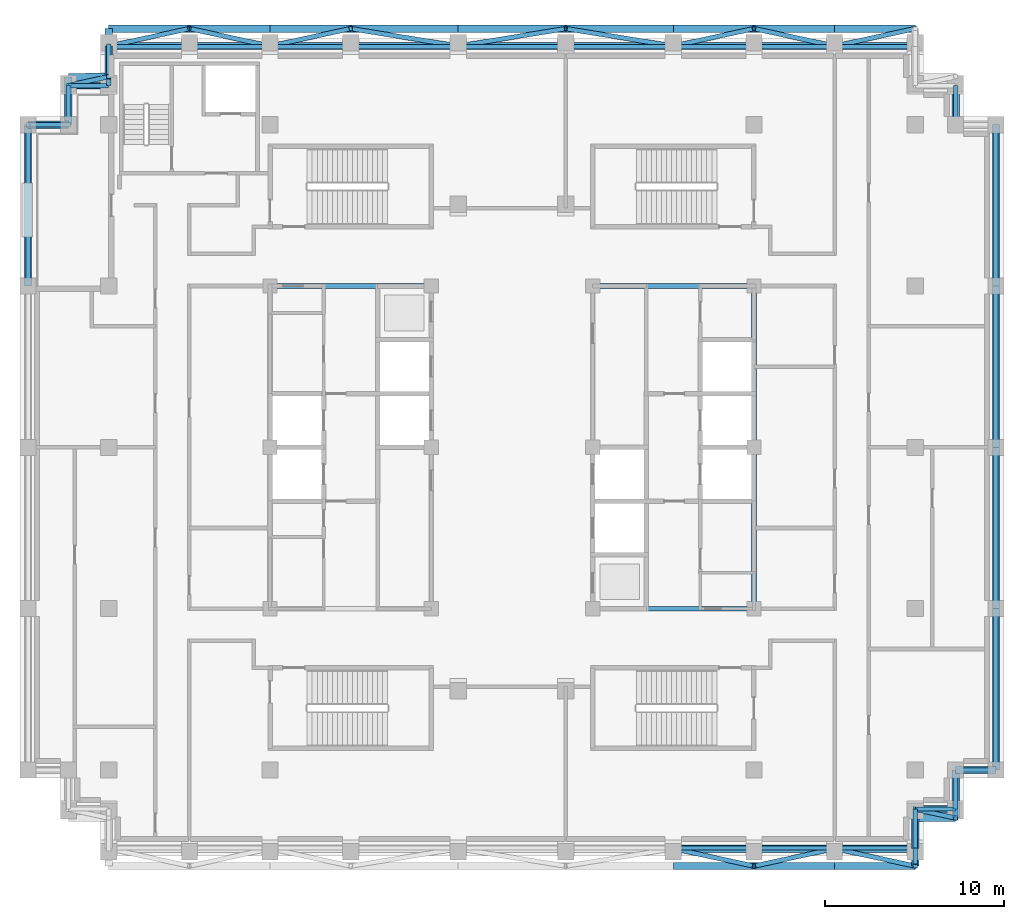
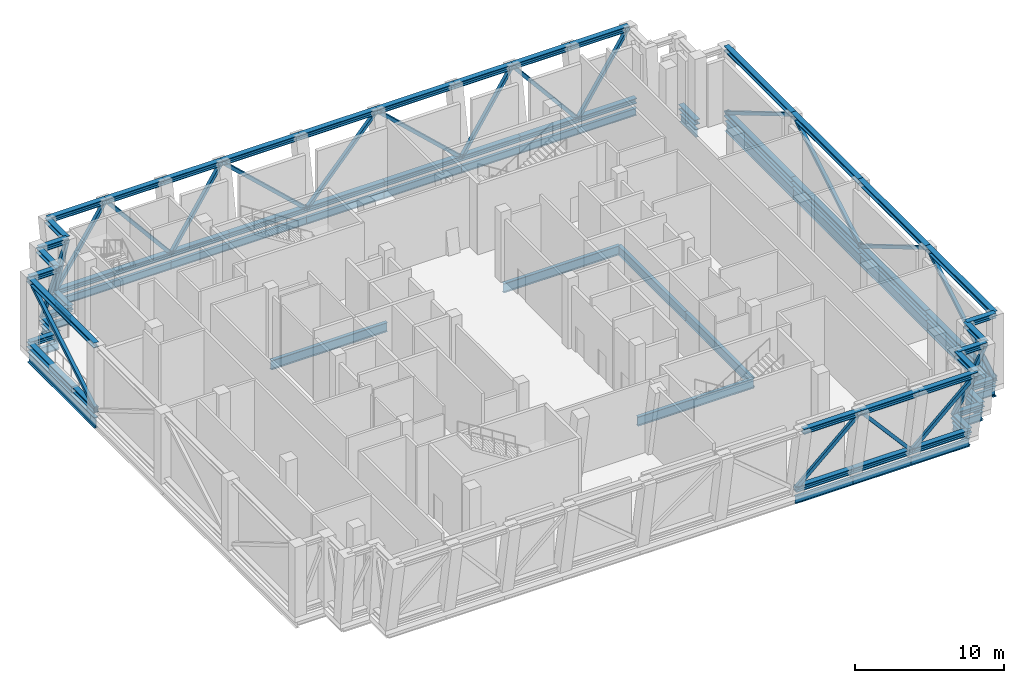
# One storey, part 2 of 11: 76 members, 31 beams.
"""IFC4 building model written with IfcOpenShell, lengths in metres."""

from ifc_helpers import new_model, si_unit, direction, frame, origin, origin_2d, place, context, subcontext, project, spatial, hollow_rectangle, i_section, extrude, material, material_profile, profile_set, type_object, element, save


model = new_model("IFC4")

# Units and contexts
model_context = context("Model", 3, precision=1e-05, world=origin(), true_north=direction((0.0, 1.0)))
body_context = subcontext(model_context, "Body", "Model", "MODEL_VIEW")
ifc_project = project(units=[si_unit("LENGTHUNIT", "METRE"), si_unit("AREAUNIT", "SQUARE_METRE"), si_unit("VOLUMEUNIT", "CUBIC_METRE"), si_unit("PLANEANGLEUNIT", "RADIAN"), si_unit("MASSUNIT", "GRAM", prefix="KILO")], contexts=[model_context])

# Site, building, storey
site_placement = place(None, origin())
site = spatial("IfcSite", under=ifc_project, at=site_placement, CompositionType="ELEMENT")
building_placement = place(site_placement, origin())
building = spatial("IfcBuilding", under=site, at=building_placement, Name="Corbelhall Arena Tower", CompositionType="ELEMENT")
storey_placement = place(building_placement, frame((0.0, 0.0, 294.0)))
storey = spatial("IfcBuildingStorey", under=building, at=storey_placement, Name="L64", CompositionType="ELEMENT", Elevation=294.0)

# Beams
ifc_material_1 = material(Name="Steel ASTM A992 Gr50", Category="steel")
ifc_material_profile_1 = material_profile(ifc_material_1, i_section(OverallWidth=0.2666015625, OverallDepth=0.761962890625, WebThickness=0.014404296875, FlangeThickness=0.021484375, at=origin_2d()))
ifc_profile_set_1 = profile_set([ifc_material_profile_1], Name="Steel ASTM A992 Gr50")
beam_type_1 = type_object("IfcBeamType", Name="ST-BEAM-W30x116", PredefinedType="BEAM", material=ifc_profile_set_1)
for number, where, z_axis, x_axis, name in (
    (1, (-13.5, 9.0, -0.791015625), (1.0, 0.0, 0.0), (0.0, 1.0, 0.0), "Beam CEW 6"),
    (2, (13.5, -9.0, -0.791015625), (0.0, 1.0, 0.0), (-1.0, 0.0, 0.0), "Beam CEE 9"),
    (3, (13.5, 0.0, -0.791015625), (0.0, 1.0, 0.0), (-1.0, 0.0, 0.0), "Beam CEE 10"),
    (4, (4.5, -9.0, -0.791015625), (1.0, 0.0, 0.0), (0.0, 1.0, 0.0), "Beam CEE 11"),
    (5, (4.5, 9.0, -0.791015625), (1.0, 0.0, 0.0), (0.0, 1.0, 0.0), "Beam CEE 12"),
):
    element("IfcBeam", number, at=place(storey_placement, frame(where, z_axis=z_axis, x_axis=x_axis)), inside=storey, type_object=beam_type_1, Name=name, PredefinedType="BEAM", context=body_context, shape_type="SweptSolid", body=[
        extrude(i_section(OverallWidth=0.2666015625, OverallDepth=0.761962890625, WebThickness=0.014404296875, FlangeThickness=0.021484375, at=origin_2d()), origin(), (0.0, 0.0, 1.0), 9.0),
    ])

# Members
ifc_material_profile_2 = material_profile(ifc_material_1, i_section(OverallWidth=0.406494140625, OverallDepth=0.41650390625, WebThickness=0.02978515625, FlangeThickness=0.048095703125, at=origin_2d()))
ifc_profile_set_2 = profile_set([ifc_material_profile_2], Name="Steel ASTM A992 Gr50")
member_type_1 = type_object("IfcMemberType", Name="ST-CHORD-W14x257", PredefinedType="CHORD", material=ifc_profile_set_2)
for number, where, z_axis, x_axis, name in (
    (6, (27.0, 0.0, 0.208251953125), (0.0, -1.0, 0.0), (1.0, 0.0, 0.0), "Truss chord BC 1"),
    (7, (27.0, 0.0, 5.53173828125), (0.0, -1.0, 0.0), (1.0, 0.0, 0.0), "Truss chord TC 1"),
    (8, (27.0, 9.0, 0.208251953125), (0.0, -1.0, 0.0), (1.0, 0.0, 0.0), "Truss chord BC 2"),
    (9, (27.0, 9.0, 5.53173828125), (0.0, -1.0, 0.0), (1.0, 0.0, 0.0), "Truss chord TC 2"),
    (10, (27.0, 18.0, 0.208251953125), (0.0, -1.0, 0.0), (1.0, 0.0, 0.0), "Truss chord BC 3"),
    (11, (27.0, 18.0, 5.53173828125), (0.0, -1.0, 0.0), (1.0, 0.0, 0.0), "Truss chord TC 3"),
    (12, (27.0, -9.0, 0.208251953125), (0.0, -1.0, 0.0), (1.0, 0.0, 0.0), "Truss chord BC 4"),
    (13, (27.0, -9.0, 5.53173828125), (0.0, -1.0, 0.0), (1.0, 0.0, 0.0), "Truss chord TC 4"),
):
    element("IfcMember", number, at=place(storey_placement, frame(where, z_axis=z_axis, x_axis=x_axis)), inside=storey, type_object=member_type_1, Name=name, PredefinedType="CHORD", context=body_context, shape_type="SweptSolid", body=[
        extrude(i_section(OverallWidth=0.406494140625, OverallDepth=0.41650390625, WebThickness=0.02978515625, FlangeThickness=0.048095703125, at=origin_2d()), origin(), (0.0, 0.0, 1.0), 9.0),
    ])
for number, where, z_axis, x_axis, name in (
    (14, (27.0, -18.0, 0.208251953125), (-1.0, 0.0, 0.0), (0.0, -1.0, 0.0), "Truss chord BC 5"),
    (15, (27.0, -18.0, 5.53173828125), (-1.0, 0.0, 0.0), (0.0, -1.0, 0.0), "Truss chord TC 5"),
):
    element("IfcMember", number, at=place(storey_placement, frame(where, z_axis=z_axis, x_axis=x_axis)), inside=storey, type_object=member_type_1, Name=name, PredefinedType="CHORD", context=body_context, shape_type="SweptSolid", body=[
        extrude(i_section(OverallWidth=0.406494140625, OverallDepth=0.41650390625, WebThickness=0.02978515625, FlangeThickness=0.048095703125, at=origin_2d()), origin(), (0.0, 0.0, 1.0), 2.25),
    ])
for number, where, z_axis, x_axis, name in (
    (16, (3.0, 22.38818359375, 0.208251953125), (1.0, 0.0, 0.0), (0.0, 1.0, 0.0), "Truss chord BC 6"),
    (17, (3.0, 23.36181640625, 5.53173828125), (1.0, 0.0, 0.0), (0.0, 1.0, 0.0), "Truss chord TC 6"),
):
    element("IfcMember", number, at=place(storey_placement, frame(where, z_axis=z_axis, x_axis=x_axis)), inside=storey, type_object=member_type_1, Name=name, PredefinedType="CHORD", context=body_context, shape_type="SweptSolid", body=[
        extrude(i_section(OverallWidth=0.406494140625, OverallDepth=0.41650390625, WebThickness=0.02978515625, FlangeThickness=0.048095703125, at=origin_2d()), origin(), (0.0, 0.0, 1.0), 6.0),
    ])
for number, where, z_axis, x_axis, name in (
    (18, (9.0, 22.38818359375, 0.208251953125), (1.0, 0.0, 0.0), (0.0, 1.0, 0.0), "Truss chord BC 7"),
    (19, (9.0, 23.36181640625, 5.53173828125), (1.0, 0.0, 0.0), (0.0, 1.0, 0.0), "Truss chord TC 7"),
    (20, (13.5, 22.38818359375, 0.208251953125), (1.0, 0.0, 0.0), (0.0, 1.0, 0.0), "Truss chord BC 8"),
    (21, (13.5, 23.36181640625, 5.53173828125), (1.0, 0.0, 0.0), (0.0, 1.0, 0.0), "Truss chord TC 8"),
    (22, (18.0, 22.38818359375, 0.208251953125), (1.0, 0.0, 0.0), (0.0, 1.0, 0.0), "Truss chord BC 9"),
    (23, (18.0, 23.36181640625, 5.53173828125), (1.0, 0.0, 0.0), (0.0, 1.0, 0.0), "Truss chord TC 9"),
):
    element("IfcMember", number, at=place(storey_placement, frame(where, z_axis=z_axis, x_axis=x_axis)), inside=storey, type_object=member_type_1, Name=name, PredefinedType="CHORD", context=body_context, shape_type="SweptSolid", body=[
        extrude(i_section(OverallWidth=0.406494140625, OverallDepth=0.41650390625, WebThickness=0.02978515625, FlangeThickness=0.048095703125, at=origin_2d()), origin(), (0.0, 0.0, 1.0), 4.5),
    ])
for number, where, z_axis, x_axis, name in (
    (24, (-3.0, 22.38818359375, 0.208251953125), (1.0, 0.0, 0.0), (0.0, 1.0, 0.0), "Truss chord BC 11"),
    (25, (-3.0, 23.36181640625, 5.53173828125), (1.0, 0.0, 0.0), (0.0, 1.0, 0.0), "Truss chord TC 11"),
    (26, (-9.0, 22.38818359375, 0.208251953125), (1.0, 0.0, 0.0), (0.0, 1.0, 0.0), "Truss chord BC 12"),
    (27, (-9.0, 23.36181640625, 5.53173828125), (1.0, 0.0, 0.0), (0.0, 1.0, 0.0), "Truss chord TC 12"),
):
    element("IfcMember", number, at=place(storey_placement, frame(where, z_axis=z_axis, x_axis=x_axis)), inside=storey, type_object=member_type_1, Name=name, PredefinedType="CHORD", context=body_context, shape_type="SweptSolid", body=[
        extrude(i_section(OverallWidth=0.406494140625, OverallDepth=0.41650390625, WebThickness=0.02978515625, FlangeThickness=0.048095703125, at=origin_2d()), origin(), (0.0, 0.0, 1.0), 6.0),
    ])
for number, where, z_axis, x_axis, name in (
    (28, (-13.5, 22.38818359375, 0.208251953125), (1.0, 0.0, 0.0), (0.0, 1.0, 0.0), "Truss chord BC 13"),
    (29, (-13.5, 23.36181640625, 5.53173828125), (1.0, 0.0, 0.0), (0.0, 1.0, 0.0), "Truss chord TC 13"),
    (30, (-18.0, 22.38818359375, 0.208251953125), (1.0, 0.0, 0.0), (0.0, 1.0, 0.0), "Truss chord BC 14"),
    (31, (-18.0, 23.36181640625, 5.53173828125), (1.0, 0.0, 0.0), (0.0, 1.0, 0.0), "Truss chord TC 14"),
    (32, (-22.5, 22.38818359375, 0.208251953125), (1.0, 0.0, 0.0), (0.0, 1.0, 0.0), "Truss chord BC 15"),
    (33, (-22.5, 23.36181640625, 5.53173828125), (1.0, 0.0, 0.0), (0.0, 1.0, 0.0), "Truss chord TC 15"),
    (34, (13.5, -22.38818359375, 0.208251953125), (-1.0, 0.0, 0.0), (0.0, -1.0, 0.0), "Truss chord BC 18"),
    (35, (13.5, -23.36181640625, 5.53173828125), (-1.0, 0.0, 0.0), (0.0, -1.0, 0.0), "Truss chord TC 18"),
    (36, (18.0, -22.38818359375, 0.208251953125), (-1.0, 0.0, 0.0), (0.0, -1.0, 0.0), "Truss chord BC 19"),
    (37, (18.0, -23.36181640625, 5.53173828125), (-1.0, 0.0, 0.0), (0.0, -1.0, 0.0), "Truss chord TC 19"),
    (38, (22.5, -22.38818359375, 0.208251953125), (-1.0, 0.0, 0.0), (0.0, -1.0, 0.0), "Truss chord BC 20"),
    (39, (22.5, -23.36181640625, 5.53173828125), (-1.0, 0.0, 0.0), (0.0, -1.0, 0.0), "Truss chord TC 20"),
):
    element("IfcMember", number, at=place(storey_placement, frame(where, z_axis=z_axis, x_axis=x_axis)), inside=storey, type_object=member_type_1, Name=name, PredefinedType="CHORD", context=body_context, shape_type="SweptSolid", body=[
        extrude(i_section(OverallWidth=0.406494140625, OverallDepth=0.41650390625, WebThickness=0.02978515625, FlangeThickness=0.048095703125, at=origin_2d()), origin(), (0.0, 0.0, 1.0), 4.5),
    ])
for number, where, z_axis, x_axis, name in (
    (40, (-27.0, 9.0, 0.208251953125), (0.0, 1.0, 0.0), (-1.0, 0.0, 0.0), "Truss chord BC 27"),
    (41, (-27.0, 9.0, 5.53173828125), (0.0, 1.0, 0.0), (-1.0, 0.0, 0.0), "Truss chord TC 27"),
):
    element("IfcMember", number, at=place(storey_placement, frame(where, z_axis=z_axis, x_axis=x_axis)), inside=storey, type_object=member_type_1, Name=name, PredefinedType="CHORD", context=body_context, shape_type="SweptSolid", body=[
        extrude(i_section(OverallWidth=0.406494140625, OverallDepth=0.41650390625, WebThickness=0.02978515625, FlangeThickness=0.048095703125, at=origin_2d()), origin(), (0.0, 0.0, 1.0), 9.0),
    ])
for number, where, z_axis, x_axis, name in (
    (42, (-27.0, 18.0, 0.208251953125), (1.0, 0.0, 0.0), (0.0, 1.0, 0.0), "Truss chord BC 28"),
    (43, (-27.0, 18.0, 5.53173828125), (1.0, 0.0, 0.0), (0.0, 1.0, 0.0), "Truss chord TC 28"),
):
    element("IfcMember", number, at=place(storey_placement, frame(where, z_axis=z_axis, x_axis=x_axis)), inside=storey, type_object=member_type_1, Name=name, PredefinedType="CHORD", context=body_context, shape_type="SweptSolid", body=[
        extrude(i_section(OverallWidth=0.406494140625, OverallDepth=0.41650390625, WebThickness=0.02978515625, FlangeThickness=0.048095703125, at=origin_2d()), origin(), (0.0, 0.0, 1.0), 2.25),
    ])
for number, where, z_axis, x_axis, name in (
    (44, (24.75, 20.194091796875, 0.208251953125), (0.0, -1.0, 0.0), (1.0, 0.0, 0.0), "Truss chord BC 32"),
    (45, (-22.5, 20.194091796875, 0.208251953125), (0.0, 1.0, 0.0), (-1.0, 0.0, 0.0), "Truss chord BC 34"),
):
    element("IfcMember", number, at=place(storey_placement, frame(where, z_axis=z_axis, x_axis=x_axis)), inside=storey, type_object=member_type_1, Name=name, PredefinedType="CHORD", context=body_context, shape_type="SweptSolid", body=[
        extrude(i_section(OverallWidth=0.406494140625, OverallDepth=0.41650390625, WebThickness=0.02978515625, FlangeThickness=0.048095703125, at=origin_2d()), origin(), (0.0, 0.0, 1.0), 2.194091796875),
    ])
member_1_placement = place(storey_placement, frame((-22.5, 20.680908203125, 5.53173828125), z_axis=(0.0, 1.0, 0.0), x_axis=(-1.0, 0.0, 0.0)))
element("IfcMember", 46, at=member_1_placement, inside=storey, type_object=member_type_1, Name="Truss chord TC 34", PredefinedType="CHORD", context=body_context, shape_type="SweptSolid", body=[
    extrude(i_section(OverallWidth=0.406494140625, OverallDepth=0.41650390625, WebThickness=0.02978515625, FlangeThickness=0.048095703125, at=origin_2d()), origin(), (0.0, 0.0, 1.0), 2.680908203125),
])
for number, where, z_axis, x_axis, name in (
    (47, (-24.75, 20.193115234375, 0.208251953125), (0.99999990581, 0.000434027737, 0.0), (-0.000434027737, 0.99999990581, 0.0), "Truss chord BC 35"),
    (48, (-24.75, 20.658935546875, 5.53173828125), (0.999952319695, 0.009765159372, 0.0), (-0.009765159372, 0.999952319695, 0.0), "Truss chord TC 35"),
):
    element("IfcMember", number, at=place(storey_placement, frame(where, z_axis=z_axis, x_axis=x_axis)), inside=storey, type_object=member_type_1, Name=name, PredefinedType="CHORD", context=body_context, shape_type="SweptSolid", body=[
        extrude(i_section(OverallWidth=0.406494140625, OverallDepth=0.41650390625, WebThickness=0.02978515625, FlangeThickness=0.048095703125, at=origin_2d()), origin(), (0.0, 0.0, 1.0), 2.25),
    ])
member_2_placement = place(storey_placement, frame((-24.75, 18.0, 0.208251953125), z_axis=(0.0, 1.0, 0.0), x_axis=(-1.0, 0.0, 0.0)))
element("IfcMember", 49, at=member_2_placement, inside=storey, type_object=member_type_1, Name="Truss chord BC 36", PredefinedType="CHORD", context=body_context, shape_type="SweptSolid", body=[
    extrude(i_section(OverallWidth=0.406494140625, OverallDepth=0.41650390625, WebThickness=0.02978515625, FlangeThickness=0.048095703125, at=origin_2d()), origin(), (0.0, 0.0, 1.0), 2.193115234375),
])
member_3_placement = place(storey_placement, frame((-24.75, 18.0, 5.53173828125), z_axis=(0.0, 1.0, 0.0), x_axis=(-1.0, 0.0, 0.0)))
element("IfcMember", 50, at=member_3_placement, inside=storey, type_object=member_type_1, Name="Truss chord TC 36", PredefinedType="CHORD", context=body_context, shape_type="SweptSolid", body=[
    extrude(i_section(OverallWidth=0.406494140625, OverallDepth=0.41650390625, WebThickness=0.02978515625, FlangeThickness=0.048095703125, at=origin_2d()), origin(), (0.0, 0.0, 1.0), 2.658935546875),
])
member_4_placement = place(storey_placement, frame((22.5, -20.194091796875, 0.208251953125), z_axis=(0.0, -1.0, 0.0), x_axis=(1.0, 0.0, 0.0)))
element("IfcMember", 51, at=member_4_placement, inside=storey, type_object=member_type_1, Name="Truss chord BC 37", PredefinedType="CHORD", context=body_context, shape_type="SweptSolid", body=[
    extrude(i_section(OverallWidth=0.406494140625, OverallDepth=0.41650390625, WebThickness=0.02978515625, FlangeThickness=0.048095703125, at=origin_2d()), origin(), (0.0, 0.0, 1.0), 2.194091796875),
])
member_5_placement = place(storey_placement, frame((22.5, -20.680908203125, 5.53173828125), z_axis=(0.0, -1.0, 0.0), x_axis=(1.0, 0.0, 0.0)))
element("IfcMember", 52, at=member_5_placement, inside=storey, type_object=member_type_1, Name="Truss chord TC 37", PredefinedType="CHORD", context=body_context, shape_type="SweptSolid", body=[
    extrude(i_section(OverallWidth=0.406494140625, OverallDepth=0.41650390625, WebThickness=0.02978515625, FlangeThickness=0.048095703125, at=origin_2d()), origin(), (0.0, 0.0, 1.0), 2.680908203125),
])
for number, where, z_axis, x_axis, name in (
    (53, (24.75, -20.194091796875, 0.208251953125), (-1.0, 0.0, 0.0), (0.0, -1.0, 0.0), "Truss chord BC 38"),
    (54, (24.75, -20.680908203125, 5.53173828125), (-1.0, 0.0, 0.0), (0.0, -1.0, 0.0), "Truss chord TC 38"),
):
    element("IfcMember", number, at=place(storey_placement, frame(where, z_axis=z_axis, x_axis=x_axis)), inside=storey, type_object=member_type_1, Name=name, PredefinedType="CHORD", context=body_context, shape_type="SweptSolid", body=[
        extrude(i_section(OverallWidth=0.406494140625, OverallDepth=0.41650390625, WebThickness=0.02978515625, FlangeThickness=0.048095703125, at=origin_2d()), origin(), (0.0, 0.0, 1.0), 2.25),
    ])
member_6_placement = place(storey_placement, frame((24.75, -18.0, 0.208251953125), z_axis=(0.0, -1.0, 0.0), x_axis=(1.0, 0.0, 0.0)))
element("IfcMember", 55, at=member_6_placement, inside=storey, type_object=member_type_1, Name="Truss chord BC 39", PredefinedType="CHORD", context=body_context, shape_type="SweptSolid", body=[
    extrude(i_section(OverallWidth=0.406494140625, OverallDepth=0.41650390625, WebThickness=0.02978515625, FlangeThickness=0.048095703125, at=origin_2d()), origin(), (0.0, 0.0, 1.0), 2.194091796875),
])
member_7_placement = place(storey_placement, frame((24.75, -18.0, 5.53173828125), z_axis=(0.0, -1.0, 0.0), x_axis=(1.0, 0.0, 0.0)))
element("IfcMember", 56, at=member_7_placement, inside=storey, type_object=member_type_1, Name="Truss chord TC 39", PredefinedType="CHORD", context=body_context, shape_type="SweptSolid", body=[
    extrude(i_section(OverallWidth=0.406494140625, OverallDepth=0.41650390625, WebThickness=0.02978515625, FlangeThickness=0.048095703125, at=origin_2d()), origin(), (0.0, 0.0, 1.0), 2.680908203125),
])

# Beams
ifc_material_profile_3 = material_profile(ifc_material_1, i_section(OverallWidth=0.227783203125, OverallDepth=0.60205078125, WebThickness=0.010498046875, FlangeThickness=0.014892578125, at=origin_2d()))
ifc_profile_set_3 = profile_set([ifc_material_profile_3], Name="Steel ASTM A992 Gr50")
beam_type_2 = type_object("IfcBeamType", Name="ST-SPANDREL-W24x68", PredefinedType="SPANDREL", material=ifc_profile_set_3)
beam_1_placement = place(storey_placement, frame((27.0, -18.0, -0.7109375), z_axis=(-1.0, 0.0, 0.0), x_axis=(0.0, -1.0, 0.0)))
element("IfcBeam", 57, at=beam_1_placement, inside=storey, type_object=beam_type_2, Name="Beam SP 5", PredefinedType="SPANDREL", context=body_context, shape_type="SweptSolid", body=[
    extrude(i_section(OverallWidth=0.227783203125, OverallDepth=0.60205078125, WebThickness=0.010498046875, FlangeThickness=0.014892578125, at=origin_2d()), origin(), (0.0, 0.0, 1.0), 2.25),
])
beam_2_placement = place(storey_placement, frame((3.0, 22.35009765625, -0.7109375), z_axis=(1.0, 0.0, 0.0), x_axis=(0.0, 1.0, 0.0)))
element("IfcBeam", 58, at=beam_2_placement, inside=storey, type_object=beam_type_2, Name="Beam SP 6", PredefinedType="SPANDREL", context=body_context, shape_type="SweptSolid", body=[
    extrude(i_section(OverallWidth=0.227783203125, OverallDepth=0.60205078125, WebThickness=0.010498046875, FlangeThickness=0.014892578125, at=origin_2d()), origin(), (0.0, 0.0, 1.0), 6.0),
])
for number, where, z_axis, x_axis, name in (
    (59, (9.0, 22.35009765625, -0.7109375), (1.0, 0.0, 0.0), (0.0, 1.0, 0.0), "Beam SP 7"),
    (60, (13.5, 22.35009765625, -0.7109375), (1.0, 0.0, 0.0), (0.0, 1.0, 0.0), "Beam SP 8"),
    (61, (18.0, 22.35009765625, -0.7109375), (1.0, 0.0, 0.0), (0.0, 1.0, 0.0), "Beam SP 9"),
):
    element("IfcBeam", number, at=place(storey_placement, frame(where, z_axis=z_axis, x_axis=x_axis)), inside=storey, type_object=beam_type_2, Name=name, PredefinedType="SPANDREL", context=body_context, shape_type="SweptSolid", body=[
        extrude(i_section(OverallWidth=0.227783203125, OverallDepth=0.60205078125, WebThickness=0.010498046875, FlangeThickness=0.014892578125, at=origin_2d()), origin(), (0.0, 0.0, 1.0), 4.5),
    ])
for number, where, z_axis, x_axis, name in (
    (62, (-3.0, 22.35009765625, -0.7109375), (1.0, 0.0, 0.0), (0.0, 1.0, 0.0), "Beam SP 11"),
    (63, (-9.0, 22.35009765625, -0.7109375), (1.0, 0.0, 0.0), (0.0, 1.0, 0.0), "Beam SP 12"),
):
    element("IfcBeam", number, at=place(storey_placement, frame(where, z_axis=z_axis, x_axis=x_axis)), inside=storey, type_object=beam_type_2, Name=name, PredefinedType="SPANDREL", context=body_context, shape_type="SweptSolid", body=[
        extrude(i_section(OverallWidth=0.227783203125, OverallDepth=0.60205078125, WebThickness=0.010498046875, FlangeThickness=0.014892578125, at=origin_2d()), origin(), (0.0, 0.0, 1.0), 6.0),
    ])
for number, where, z_axis, x_axis, name in (
    (64, (-13.5, 22.35009765625, -0.7109375), (1.0, 0.0, 0.0), (0.0, 1.0, 0.0), "Beam SP 13"),
    (65, (-18.0, 22.35009765625, -0.7109375), (1.0, 0.0, 0.0), (0.0, 1.0, 0.0), "Beam SP 14"),
    (66, (-22.5, 22.35009765625, -0.7109375), (1.0, 0.0, 0.0), (0.0, 1.0, 0.0), "Beam SP 15"),
    (67, (13.5, -22.35009765625, -0.7109375), (-1.0, 0.0, 0.0), (0.0, -1.0, 0.0), "Beam SP 18"),
    (68, (18.0, -22.35009765625, -0.7109375), (-1.0, 0.0, 0.0), (0.0, -1.0, 0.0), "Beam SP 19"),
    (69, (22.5, -22.35009765625, -0.7109375), (-1.0, 0.0, 0.0), (0.0, -1.0, 0.0), "Beam SP 20"),
):
    element("IfcBeam", number, at=place(storey_placement, frame(where, z_axis=z_axis, x_axis=x_axis)), inside=storey, type_object=beam_type_2, Name=name, PredefinedType="SPANDREL", context=body_context, shape_type="SweptSolid", body=[
        extrude(i_section(OverallWidth=0.227783203125, OverallDepth=0.60205078125, WebThickness=0.010498046875, FlangeThickness=0.014892578125, at=origin_2d()), origin(), (0.0, 0.0, 1.0), 4.5),
    ])
beam_3_placement = place(storey_placement, frame((-27.0, 18.0, -0.7109375), z_axis=(1.0, 0.0, 0.0), x_axis=(0.0, 1.0, 0.0)))
element("IfcBeam", 70, at=beam_3_placement, inside=storey, type_object=beam_type_2, Name="Beam SP 28", PredefinedType="SPANDREL", context=body_context, shape_type="SweptSolid", body=[
    extrude(i_section(OverallWidth=0.227783203125, OverallDepth=0.60205078125, WebThickness=0.010498046875, FlangeThickness=0.014892578125, at=origin_2d()), origin(), (0.0, 0.0, 1.0), 2.25),
])
for number, where, z_axis, x_axis, name in (
    (71, (24.75, 20.175048828125, -0.7109375), (0.0, -1.0, 0.0), (1.0, 0.0, 0.0), "Beam SP 32"),
    (72, (-22.5, 20.175048828125, -0.7109375), (0.0, 1.0, 0.0), (-1.0, 0.0, 0.0), "Beam SP 34"),
):
    element("IfcBeam", number, at=place(storey_placement, frame(where, z_axis=z_axis, x_axis=x_axis)), inside=storey, type_object=beam_type_2, Name=name, PredefinedType="SPANDREL", context=body_context, shape_type="SweptSolid", body=[
        extrude(i_section(OverallWidth=0.227783203125, OverallDepth=0.60205078125, WebThickness=0.010498046875, FlangeThickness=0.014892578125, at=origin_2d()), origin(), (0.0, 0.0, 1.0), 2.175048828125),
    ])
beam_4_placement = place(storey_placement, frame((-24.75, 20.175048828125, -0.7109375), z_axis=(1.0, 0.0, 0.0), x_axis=(0.0, 1.0, 0.0)))
element("IfcBeam", 73, at=beam_4_placement, inside=storey, type_object=beam_type_2, Name="Beam SP 35", PredefinedType="SPANDREL", context=body_context, shape_type="SweptSolid", body=[
    extrude(i_section(OverallWidth=0.227783203125, OverallDepth=0.60205078125, WebThickness=0.010498046875, FlangeThickness=0.014892578125, at=origin_2d()), origin(), (0.0, 0.0, 1.0), 2.25),
])
for number, where, z_axis, x_axis, name in (
    (74, (-24.75, 18.0, -0.7109375), (0.0, 1.0, 0.0), (-1.0, 0.0, 0.0), "Beam SP 36"),
    (75, (22.5, -20.175048828125, -0.7109375), (0.0, -1.0, 0.0), (1.0, 0.0, 0.0), "Beam SP 37"),
):
    element("IfcBeam", number, at=place(storey_placement, frame(where, z_axis=z_axis, x_axis=x_axis)), inside=storey, type_object=beam_type_2, Name=name, PredefinedType="SPANDREL", context=body_context, shape_type="SweptSolid", body=[
        extrude(i_section(OverallWidth=0.227783203125, OverallDepth=0.60205078125, WebThickness=0.010498046875, FlangeThickness=0.014892578125, at=origin_2d()), origin(), (0.0, 0.0, 1.0), 2.175048828125),
    ])
beam_5_placement = place(storey_placement, frame((24.75, -20.175048828125, -0.7109375), z_axis=(-1.0, 0.0, 0.0), x_axis=(0.0, -1.0, 0.0)))
element("IfcBeam", 76, at=beam_5_placement, inside=storey, type_object=beam_type_2, Name="Beam SP 38", PredefinedType="SPANDREL", context=body_context, shape_type="SweptSolid", body=[
    extrude(i_section(OverallWidth=0.227783203125, OverallDepth=0.60205078125, WebThickness=0.010498046875, FlangeThickness=0.014892578125, at=origin_2d()), origin(), (0.0, 0.0, 1.0), 2.25),
])
beam_6_placement = place(storey_placement, frame((24.75, -18.0, -0.7109375), z_axis=(0.0, -1.0, 0.0), x_axis=(1.0, 0.0, 0.0)))
element("IfcBeam", 77, at=beam_6_placement, inside=storey, type_object=beam_type_2, Name="Beam SP 39", PredefinedType="SPANDREL", context=body_context, shape_type="SweptSolid", body=[
    extrude(i_section(OverallWidth=0.227783203125, OverallDepth=0.60205078125, WebThickness=0.010498046875, FlangeThickness=0.014892578125, at=origin_2d()), origin(), (0.0, 0.0, 1.0), 2.175048828125),
])
ifc_material_profile_4 = material_profile(ifc_material_1, i_section(OverallWidth=0.2919921875, OverallDepth=0.845703125, WebThickness=0.015380859375, FlangeThickness=0.0244140625, at=origin_2d()))
ifc_profile_set_4 = profile_set([ifc_material_profile_4], Name="Steel ASTM A992 Gr50")
beam_type_3 = type_object("IfcBeamType", Name="ST-SPANDREL-W33x141", PredefinedType="SPANDREL", material=ifc_profile_set_4)
for number, where, z_axis, x_axis, name in (
    (78, (27.0, 0.0, -0.8330078125), (0.0, -1.0, 0.0), (1.0, 0.0, 0.0), "Beam SP 1"),
    (79, (27.0, 9.0, -0.8330078125), (0.0, -1.0, 0.0), (1.0, 0.0, 0.0), "Beam SP 2"),
    (80, (27.0, 18.0, -0.8330078125), (0.0, -1.0, 0.0), (1.0, 0.0, 0.0), "Beam SP 3"),
    (81, (27.0, -9.0, -0.8330078125), (0.0, -1.0, 0.0), (1.0, 0.0, 0.0), "Beam SP 4"),
    (82, (-27.0, 9.0, -0.8330078125), (0.0, 1.0, 0.0), (-1.0, 0.0, 0.0), "Beam SP 27"),
):
    element("IfcBeam", number, at=place(storey_placement, frame(where, z_axis=z_axis, x_axis=x_axis)), inside=storey, type_object=beam_type_3, Name=name, PredefinedType="SPANDREL", context=body_context, shape_type="SweptSolid", body=[
        extrude(i_section(OverallWidth=0.2919921875, OverallDepth=0.845703125, WebThickness=0.015380859375, FlangeThickness=0.0244140625, at=origin_2d()), origin(), (0.0, 0.0, 1.0), 9.0),
    ])

# Members
ifc_material_2 = material(Name="Steel ASTM A500 Gr C", Category="steel")
ifc_material_profile_5 = material_profile(ifc_material_2, hollow_rectangle(XDim=0.25390625, YDim=0.25390625, WallThickness=0.01171875, at=origin_2d()))
ifc_profile_set_5 = profile_set([ifc_material_profile_5], Name="Steel ASTM A500 Gr C")
member_type_2 = type_object("IfcMemberType", Name="ST-STRUT-HSS10x10x1/2", PredefinedType="STRUT", material=ifc_profile_set_5)
for number, where, z_axis, x_axis, name in (
    (83, (27.0, 0.0, 0.208251953125), (0.0, -0.860704263753, 0.509105264516), (1.0, 0.0, 0.0), "Truss diagonal 1"),
    (84, (27.0, 0.0, 0.208251953125), (0.0, 0.860704263753, 0.509105264516), (-1.0, 0.0, 0.0), "Truss diagonal 2"),
    (85, (27.0, 18.0, 0.208251953125), (0.0, -0.860704263753, 0.509105264516), (1.0, 0.0, 0.0), "Truss diagonal 3"),
    (86, (27.0, -18.0, 0.208251953125), (0.0, 0.860704263753, 0.509105264516), (-1.0, 0.0, 0.0), "Truss diagonal 4"),
):
    element("IfcMember", number, at=place(storey_placement, frame(where, z_axis=z_axis, x_axis=x_axis)), inside=storey, type_object=member_type_2, Name=name, PredefinedType="STRUT", context=body_context, shape_type="SweptSolid", body=[
        extrude(hollow_rectangle(XDim=0.25390625, YDim=0.25390625, WallThickness=0.01171875, at=origin_2d()), origin(), (0.0, 0.0, 1.0), 10.45654296875),
    ])
member_8_placement = place(storey_placement, frame((27.0, -18.0, 0.208251953125), z_axis=(-0.389310609071, 0.0, 0.921106535459), x_axis=(0.0, -1.0, 0.0)))
element("IfcMember", 87, at=member_8_placement, inside=storey, type_object=member_type_2, Name="Truss diagonal 5", PredefinedType="STRUT", context=body_context, shape_type="SweptSolid", body=[
    extrude(hollow_rectangle(XDim=0.25390625, YDim=0.25390625, WallThickness=0.01171875, at=origin_2d()), origin(), (0.0, 0.0, 1.0), 5.779541015625),
])
member_9_placement = place(storey_placement, frame((9.0, 22.38818359375, 0.208251953125), z_axis=(-0.742568186349, 0.120498125291, 0.658841931288), x_axis=(-0.160176929512, -0.987088319884, 0.0)))
element("IfcMember", 88, at=member_9_placement, inside=storey, type_object=member_type_2, Name="Truss diagonal 6", PredefinedType="STRUT", context=body_context, shape_type="SweptSolid", body=[
    extrude(hollow_rectangle(XDim=0.25390625, YDim=0.25390625, WallThickness=0.01171875, at=origin_2d()), origin(), (0.0, 0.0, 1.0), 8.080078125),
])
for number, where, z_axis, x_axis, name in (
    (89, (9.0, 22.38818359375, 0.208251953125), (0.639360222573, 0.138333798156, 0.756361200803), (-0.21146970467, 0.977384552777, 0.0), "Truss diagonal 7"),
    (90, (18.0, 22.38818359375, 0.208251953125), (-0.639360222573, 0.138333798156, 0.756361200803), (-0.21146970467, -0.977384552777, 0.0), "Truss diagonal 8"),
    (91, (18.0, 22.38818359375, 0.208251953125), (0.639360222573, 0.138333798156, 0.756361200803), (-0.21146970467, 0.977384552777, 0.0), "Truss diagonal 9"),
):
    element("IfcMember", number, at=place(storey_placement, frame(where, z_axis=z_axis, x_axis=x_axis)), inside=storey, type_object=member_type_2, Name=name, PredefinedType="STRUT", context=body_context, shape_type="SweptSolid", body=[
        extrude(hollow_rectangle(XDim=0.25390625, YDim=0.25390625, WallThickness=0.01171875, at=origin_2d()), origin(), (0.0, 0.0, 1.0), 7.038330078125),
    ])
for number, where, z_axis, x_axis, name in (
    (92, (-3.0, 22.38818359375, 0.208251953125), (0.742568186349, 0.120498125291, 0.658841931288), (-0.160176929512, 0.987088319884, 0.0), "Truss diagonal 11"),
    (93, (-3.0, 22.38818359375, 0.208251953125), (-0.742568186349, 0.120498125291, 0.658841931288), (-0.160176929512, -0.987088319884, 0.0), "Truss diagonal 12"),
):
    element("IfcMember", number, at=place(storey_placement, frame(where, z_axis=z_axis, x_axis=x_axis)), inside=storey, type_object=member_type_2, Name=name, PredefinedType="STRUT", context=body_context, shape_type="SweptSolid", body=[
        extrude(hollow_rectangle(XDim=0.25390625, YDim=0.25390625, WallThickness=0.01171875, at=origin_2d()), origin(), (0.0, 0.0, 1.0), 8.080078125),
    ])
for number, where, z_axis, x_axis, name in (
    (94, (-13.5, 22.38818359375, 0.208251953125), (0.639360222573, 0.138333798156, 0.756361200803), (-0.21146970467, 0.977384552777, 0.0), "Truss diagonal 13"),
    (95, (-13.5, 22.38818359375, 0.208251953125), (-0.639360222573, 0.138333798156, 0.756361200803), (-0.21146970467, -0.977384552777, 0.0), "Truss diagonal 14"),
    (96, (-22.5, 22.38818359375, 0.208251953125), (0.639360222573, 0.138333798156, 0.756361200803), (-0.21146970467, 0.977384552777, 0.0), "Truss diagonal 15"),
    (97, (9.0, -22.38818359375, 0.208251953125), (0.639360222573, -0.138333798156, 0.756361200803), (0.21146970467, 0.977384552777, 0.0), "Truss diagonal 18"),
    (98, (18.0, -22.38818359375, 0.208251953125), (-0.639360222573, -0.138333798156, 0.756361200803), (0.21146970467, -0.977384552777, 0.0), "Truss diagonal 19"),
    (99, (18.0, -22.38818359375, 0.208251953125), (0.639360222573, -0.138333798156, 0.756361200803), (0.21146970467, 0.977384552777, 0.0), "Truss diagonal 20"),
):
    element("IfcMember", number, at=place(storey_placement, frame(where, z_axis=z_axis, x_axis=x_axis)), inside=storey, type_object=member_type_2, Name=name, PredefinedType="STRUT", context=body_context, shape_type="SweptSolid", body=[
        extrude(hollow_rectangle(XDim=0.25390625, YDim=0.25390625, WallThickness=0.01171875, at=origin_2d()), origin(), (0.0, 0.0, 1.0), 7.038330078125),
    ])
member_10_placement = place(storey_placement, frame((-27.0, 9.0, 0.208251953125), z_axis=(0.0, 0.860704263753, 0.509105264516), x_axis=(-1.0, 0.0, 0.0)))
element("IfcMember", 100, at=member_10_placement, inside=storey, type_object=member_type_2, Name="Truss diagonal 27", PredefinedType="STRUT", context=body_context, shape_type="SweptSolid", body=[
    extrude(hollow_rectangle(XDim=0.25390625, YDim=0.25390625, WallThickness=0.01171875, at=origin_2d()), origin(), (0.0, 0.0, 1.0), 10.45654296875),
])
member_11_placement = place(storey_placement, frame((-24.75, 18.0, 0.208251953125), z_axis=(-0.389310609071, 0.0, 0.921106535459), x_axis=(0.0, -1.0, 0.0)))
element("IfcMember", 101, at=member_11_placement, inside=storey, type_object=member_type_2, Name="Truss diagonal 28", PredefinedType="STRUT", context=body_context, shape_type="SweptSolid", body=[
    extrude(hollow_rectangle(XDim=0.25390625, YDim=0.25390625, WallThickness=0.01171875, at=origin_2d()), origin(), (0.0, 0.0, 1.0), 5.779541015625),
])
member_12_placement = place(storey_placement, frame((-22.5, 22.38818359375, 0.208251953125), z_axis=(0.0, -0.305385716377, 0.952228735249), x_axis=(1.0, 0.0, 0.0)))
element("IfcMember", 102, at=member_12_placement, inside=storey, type_object=member_type_2, Name="Truss diagonal 34", PredefinedType="STRUT", context=body_context, shape_type="SweptSolid", body=[
    extrude(hollow_rectangle(XDim=0.25390625, YDim=0.25390625, WallThickness=0.01171875, at=origin_2d()), origin(), (0.0, 0.0, 1.0), 5.590576171875),
])
member_13_placement = place(storey_placement, frame((-24.75, 20.193115234375, 0.208251953125), z_axis=(0.38793133047, 0.084102300161, 0.917843170671), x_axis=(-0.211874891633, 0.977296797445, 0.0)))
element("IfcMember", 103, at=member_13_placement, inside=storey, type_object=member_type_2, Name="Truss diagonal 35", PredefinedType="STRUT", context=body_context, shape_type="SweptSolid", body=[
    extrude(hollow_rectangle(XDim=0.25390625, YDim=0.25390625, WallThickness=0.01171875, at=origin_2d()), origin(), (0.0, 0.0, 1.0), 5.800048828125),
])
member_14_placement = place(storey_placement, frame((-24.75, 20.193115234375, 0.208251953125), z_axis=(0.0, -0.380911886686, 0.924611342447), x_axis=(1.0, 0.0, 0.0)))
element("IfcMember", 104, at=member_14_placement, inside=storey, type_object=member_type_2, Name="Truss diagonal 36", PredefinedType="STRUT", context=body_context, shape_type="SweptSolid", body=[
    extrude(hollow_rectangle(XDim=0.25390625, YDim=0.25390625, WallThickness=0.01171875, at=origin_2d()), origin(), (0.0, 0.0, 1.0), 5.757568359375),
])
member_15_placement = place(storey_placement, frame((22.5, -20.194091796875, 0.208251953125), z_axis=(0.0, -0.511362601594, 0.859365050308), x_axis=(1.0, 0.0, 0.0)))
element("IfcMember", 105, at=member_15_placement, inside=storey, type_object=member_type_2, Name="Truss diagonal 37", PredefinedType="STRUT", context=body_context, shape_type="SweptSolid", body=[
    extrude(hollow_rectangle(XDim=0.25390625, YDim=0.25390625, WallThickness=0.01171875, at=origin_2d()), origin(), (0.0, 0.0, 1.0), 6.194580078125),
])
member_16_placement = place(storey_placement, frame((22.5, -20.194091796875, 0.208251953125), z_axis=(0.387936818411, -0.083935114574, 0.917856155104), x_axis=(0.21146970467, 0.977384552777, 0.0)))
element("IfcMember", 106, at=member_16_placement, inside=storey, type_object=member_type_2, Name="Truss diagonal 38", PredefinedType="STRUT", context=body_context, shape_type="SweptSolid", body=[
    extrude(hollow_rectangle(XDim=0.25390625, YDim=0.25390625, WallThickness=0.01171875, at=origin_2d()), origin(), (0.0, 0.0, 1.0), 5.7998046875),
])
member_17_placement = place(storey_placement, frame((24.75, -18.0, 0.208251953125), z_axis=(0.0, -0.449784047143, 0.893137341586), x_axis=(1.0, 0.0, 0.0)))
element("IfcMember", 107, at=member_17_placement, inside=storey, type_object=member_type_2, Name="Truss diagonal 39", PredefinedType="STRUT", context=body_context, shape_type="SweptSolid", body=[
    extrude(hollow_rectangle(XDim=0.25390625, YDim=0.25390625, WallThickness=0.01171875, at=origin_2d()), origin(), (0.0, 0.0, 1.0), 5.96044921875),
])

save(model, "model.ifc")
